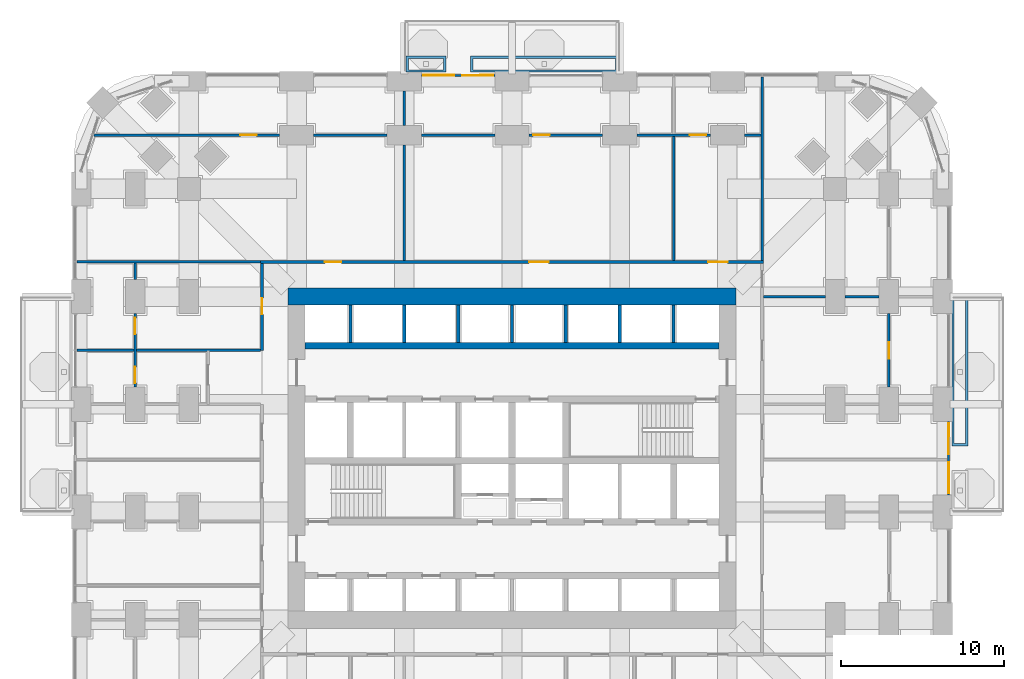
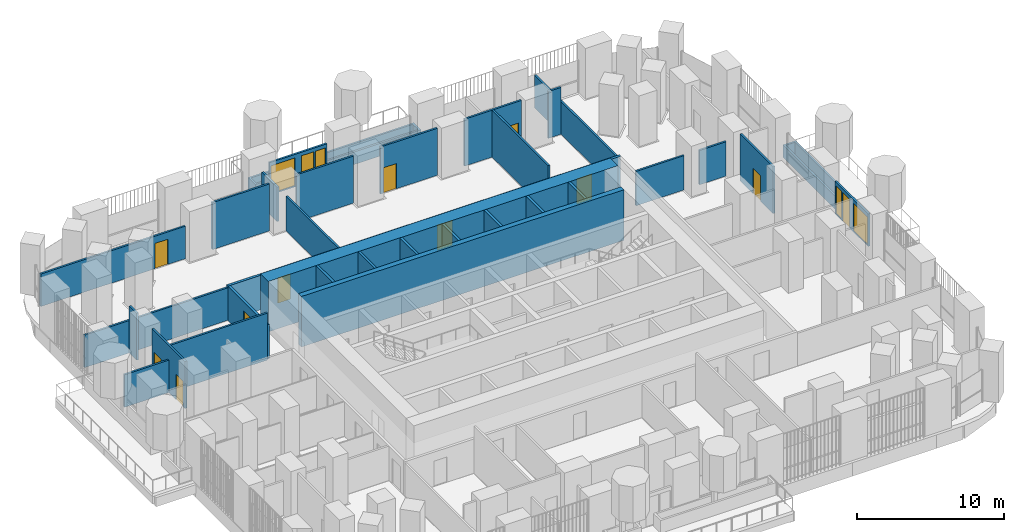
# One storey, part 20 of 26: 34 walls, 12 doors, 4 windows, 16 openings.
"""IFC4 building model written with IfcOpenShell, lengths in metres."""

from ifc_helpers import new_model, si_unit, direction, frame, frame_2d, origin, place, context, subcontext, project, spatial, polyline, rectangle, outline, extrude, material, layer, layer_set, type_object, element, fill, save


model = new_model("IFC4")

# Units and contexts
model_context = context("Model", 3, precision=1e-05, world=origin(), true_north=direction((0.0, 1.0)))
body_context = subcontext(model_context, "Body", "Model", "MODEL_VIEW")
ifc_project = project(units=[si_unit("LENGTHUNIT", "METRE"), si_unit("AREAUNIT", "SQUARE_METRE"), si_unit("VOLUMEUNIT", "CUBIC_METRE"), si_unit("PLANEANGLEUNIT", "RADIAN"), si_unit("MASSUNIT", "GRAM", prefix="KILO")], contexts=[model_context])

# Site, building, storey
site_placement = place(None, origin())
site = spatial("IfcSite", under=ifc_project, at=site_placement, CompositionType="ELEMENT")
building_placement = place(site_placement, origin())
building = spatial("IfcBuilding", under=site, at=building_placement, Name="Cobogo Forest Laboratory Tower", CompositionType="ELEMENT")
storey_placement = place(building_placement, frame((0.0, 0.0, 42.300048828125)))
storey = spatial("IfcBuildingStorey", under=building, at=storey_placement, Name="L09", CompositionType="ELEMENT", Elevation=42.300048828125)

# Walls
ifc_material_1 = material(Name="Concrete HA-50 (C50/60)", Category="concrete")
ifc_layer_1 = layer(ifc_material_1, 0.39990234375)
ifc_layer_set_1 = layer_set([ifc_layer_1], Name="CI400 core inner wall 400")
wall_type_1 = type_object("IfcWallType", Name="CI400 core inner wall 400", PredefinedType="SHEAR", material=ifc_layer_set_1)
wall_1_placement = place(storey_placement, frame((13.72509765625, 30.0, 0.0), z_axis=(0.0, 0.0, 1.0), x_axis=(1.0, 0.0, 0.0)))
element("IfcWall", 1, at=wall_1_placement, inside=storey, type_object=wall_type_1, Name="Core wall CI-30.0 L09", PredefinedType="SHEAR", context=body_context, shape_type="SweptSolid", body=[
    extrude(rectangle(XDim=25.349853515625, YDim=0.39990234375, at=frame_2d((12.6748046875, 0.0))), origin(), (0.0, 0.0, 1.0), 4.199951171875),
])
ifc_layer_2 = layer(ifc_material_1, 1.050048828125)
ifc_layer_set_2 = layer_set([ifc_layer_2], Name="CW1050 core outer wall 1050")
wall_type_2 = type_object("IfcWallType", Name="CW1050 core outer wall 1050", PredefinedType="SHEAR", material=ifc_layer_set_2)
wall_2_placement = place(storey_placement, frame((40.125, 33.0, 0.0), z_axis=(0.0, 0.0, 1.0), x_axis=(-1.0, 0.0, 0.0)))
element("IfcWall", 2, at=wall_2_placement, inside=storey, type_object=wall_type_2, Name="Core wall CO-N L09", PredefinedType="SHEAR", context=body_context, shape_type="SweptSolid", body=[
    extrude(rectangle(XDim=27.449951171875, YDim=1.050048828125, at=frame_2d((13.72509765625, 0.0))), origin(), (0.0, 0.0, 1.0), 4.199951171875),
])

# Wall, openings, door, windows
ifc_material_2 = material(Name="Aluminium framed glazed screen", Category="aluminium")
ifc_layer_3 = layer(ifc_material_2, 0.14990234375)
ifc_layer_set_3 = layer_set([ifc_layer_3], Name="GS1 glazed door screen 150")
wall_type_3 = type_object("IfcWallType", Name="GS1 glazed door screen 150", PredefinedType="SOLIDWALL", material=ifc_layer_set_3)
wall_3_placement = place(storey_placement, frame((53.14990234375, 20.85009765625, 0.0), z_axis=(0.0, 0.0, 1.0), x_axis=(0.0, 1.0, 0.0)))
wall_3 = element("IfcWall", 3, at=wall_3_placement, inside=storey, type_object=wall_type_3, Name="Door screen BAL-E1 L09", PredefinedType="SOLIDWALL", context=body_context, shape_type="SweptSolid", body=[
    extrude(rectangle(XDim=4.5, YDim=0.14990234375, at=frame_2d((2.25, 0.0))), origin(), (0.0, 0.0, 1.0), 2.699951171875),
])
opening_1_placement = place(wall_3_placement, frame((2.5, 0.0, 0.0)))
opening_1 = element("IfcOpeningElement", 4, at=opening_1_placement, cuts=wall_3, Name="Opening L09-D28", PredefinedType="OPENING", context=body_context, shape_type="SweptSolid", body=[
    extrude(rectangle(XDim=1.0, YDim=2.39990234375, at=frame_2d((0.5, 1.199951171875))), frame((0.0, 0.0849609375, 0.0), z_axis=(0.0, -1.0, 0.0), x_axis=(1.0, 0.0, 0.0)), (0.0, 0.0, 1.0), 0.169921875),
])
opening_2_placement = place(wall_3_placement, frame((0.10009765625, 0.0, 0.10009765625)))
opening_2 = element("IfcOpeningElement", 5, at=opening_2_placement, cuts=wall_3, Name="Opening L09-W04", PredefinedType="OPENING", context=body_context, shape_type="SweptSolid", body=[
    extrude(rectangle(XDim=1.89990234375, YDim=2.300048828125, at=frame_2d((0.949951171875, 1.14990234375))), frame((0.0, 0.0849609375, 0.0), z_axis=(0.0, -1.0, 0.0), x_axis=(1.0, 0.0, 0.0)), (0.0, 0.0, 1.0), 0.169921875),
])
opening_3_placement = place(wall_3_placement, frame((3.60009765625, 0.0, 0.10009765625)))
opening_3 = element("IfcOpeningElement", 6, at=opening_3_placement, cuts=wall_3, Name="Opening L09-W06", PredefinedType="OPENING", context=body_context, shape_type="SweptSolid", body=[
    extrude(rectangle(XDim=0.800048828125, YDim=2.300048828125, at=frame_2d((0.39990234375, 1.14990234375))), frame((0.0, 0.0849609375, 0.0), z_axis=(0.0, -1.0, 0.0), x_axis=(1.0, 0.0, 0.0)), (0.0, 0.0, 1.0), 0.169921875),
])
ifc_material_3 = material(Name="Aluminium glazed door", Category="aluminium")
door_type_1 = type_object("IfcDoorType", Name="DB1 balcony door 1000 glazed", OperationType="SINGLE_SWING_LEFT", PredefinedType="DOOR", material=ifc_material_3)
door_1_placement = place(opening_1_placement, origin())
door_1 = element("IfcDoor", 7, at=door_1_placement, inside=storey, type_object=door_type_1, Name="Door L09-BAL-E1", OperationType="SINGLE_SWING_RIGHT", OverallHeight=2.39990234375, OverallWidth=1.0, PredefinedType="DOOR", context=body_context, shape_type="SweptSolid", body=[
    extrude(rectangle(XDim=1.0, YDim=2.39990234375, at=frame_2d((0.5, 1.199951171875))), frame((0.0, 0.02490234375, 0.0), z_axis=(0.0, -1.0, 0.0), x_axis=(1.0, 0.0, 0.0)), (0.0, 0.0, 1.0), 0.050048828125),
])
fill(opening_1, door_1)
ifc_material_4 = material(Name="Aluminium framed glazing", Category="aluminium")
window_type_1 = type_object("IfcWindowType", Name="WG3 fixed glazed light 1900x2300", PartitioningType="SINGLE_PANEL", PredefinedType="WINDOW", material=ifc_material_4)
window_1_placement = place(opening_2_placement, origin())
window_1 = element("IfcWindow", 8, at=window_1_placement, inside=storey, type_object=window_type_1, Name="Window L09-BAL-E1-1", OverallHeight=2.300048828125, OverallWidth=1.89990234375, PartitioningType="SINGLE_PANEL", PredefinedType="WINDOW", context=body_context, shape_type="SweptSolid", body=[
    extrude(rectangle(XDim=1.89990234375, YDim=2.300048828125, at=frame_2d((0.949951171875, 1.14990234375))), frame((0.0, 0.030029296875, 0.0), z_axis=(0.0, -1.0, 0.0), x_axis=(1.0, 0.0, 0.0)), (0.0, 0.0, 1.0), 0.06005859375),
])
fill(opening_2, window_1)
window_type_2 = type_object("IfcWindowType", Name="WG4 fixed glazed light 800x2300", PartitioningType="SINGLE_PANEL", PredefinedType="WINDOW", material=ifc_material_4)
window_2_placement = place(opening_3_placement, origin())
window_2 = element("IfcWindow", 9, at=window_2_placement, inside=storey, type_object=window_type_2, Name="Window L09-BAL-E1-2", OverallHeight=2.300048828125, OverallWidth=0.800048828125, PartitioningType="SINGLE_PANEL", PredefinedType="WINDOW", context=body_context, shape_type="SweptSolid", body=[
    extrude(rectangle(XDim=0.800048828125, YDim=2.300048828125, at=frame_2d((0.39990234375, 1.14990234375))), frame((0.0, 0.030029296875, 0.0), z_axis=(0.0, -1.0, 0.0), x_axis=(1.0, 0.0, 0.0)), (0.0, 0.0, 1.0), 0.06005859375),
])
fill(opening_3, window_2)

wall_4_placement = place(storey_placement, frame((25.35009765625, 46.550048828125, 0.0), z_axis=(0.0, 0.0, 1.0), x_axis=(-1.0, 0.0, 0.0)))
wall_4 = element("IfcWall", 10, at=wall_4_placement, inside=storey, type_object=wall_type_3, Name="Door screen BAL-N1 L09", PredefinedType="SOLIDWALL", context=body_context, shape_type="SweptSolid", body=[
    extrude(rectangle(XDim=4.5, YDim=0.14990234375, at=frame_2d((2.25, 0.0))), origin(), (0.0, 0.0, 1.0), 2.699951171875),
])
opening_4_placement = place(wall_4_placement, frame((1.0, 0.0, 0.0)))
opening_4 = element("IfcOpeningElement", 11, at=opening_4_placement, cuts=wall_4, Name="Opening L09-D48", PredefinedType="OPENING", context=body_context, shape_type="SweptSolid", body=[
    extrude(rectangle(XDim=1.0, YDim=2.39990234375, at=frame_2d((0.5, 1.199951171875))), frame((0.0, 0.0849609375, 0.0), z_axis=(0.0, -1.0, 0.0), x_axis=(1.0, 0.0, 0.0)), (0.0, 0.0, 1.0), 0.169921875),
])
opening_5_placement = place(wall_4_placement, frame((0.10009765625, 0.0, 0.10009765625)))
opening_5 = element("IfcOpeningElement", 12, at=opening_5_placement, cuts=wall_4, Name="Opening L09-W08", PredefinedType="OPENING", context=body_context, shape_type="SweptSolid", body=[
    extrude(rectangle(XDim=0.800048828125, YDim=2.300048828125, at=frame_2d((0.39990234375, 1.14990234375))), frame((0.0, 0.0849609375, 0.0), z_axis=(0.0, -1.0, 0.0), x_axis=(1.0, 0.0, 0.0)), (0.0, 0.0, 1.0), 0.169921875),
])
opening_6_placement = place(wall_4_placement, frame((2.5, 0.0, 0.10009765625)))
opening_6 = element("IfcOpeningElement", 13, at=opening_6_placement, cuts=wall_4, Name="Opening L09-W07", PredefinedType="OPENING", context=body_context, shape_type="SweptSolid", body=[
    extrude(rectangle(XDim=1.89990234375, YDim=2.300048828125, at=frame_2d((0.949951171875, 1.14990234375))), frame((0.0, 0.0849609375, 0.0), z_axis=(0.0, -1.0, 0.0), x_axis=(1.0, 0.0, 0.0)), (0.0, 0.0, 1.0), 0.169921875),
])
door_2_placement = place(opening_4_placement, origin())
door_2 = element("IfcDoor", 14, at=door_2_placement, inside=storey, type_object=door_type_1, Name="Door L09-BAL-N1", OperationType="SINGLE_SWING_LEFT", OverallHeight=2.39990234375, OverallWidth=1.0, PredefinedType="DOOR", context=body_context, shape_type="SweptSolid", body=[
    extrude(rectangle(XDim=1.0, YDim=2.39990234375, at=frame_2d((0.5, 1.199951171875))), frame((0.0, 0.02490234375, 0.0), z_axis=(0.0, -1.0, 0.0), x_axis=(1.0, 0.0, 0.0)), (0.0, 0.0, 1.0), 0.050048828125),
])
fill(opening_4, door_2)
window_3_placement = place(opening_6_placement, origin())
window_3 = element("IfcWindow", 15, at=window_3_placement, inside=storey, type_object=window_type_1, Name="Window L09-BAL-N1-2", OverallHeight=2.300048828125, OverallWidth=1.89990234375, PartitioningType="SINGLE_PANEL", PredefinedType="WINDOW", context=body_context, shape_type="SweptSolid", body=[
    extrude(rectangle(XDim=1.89990234375, YDim=2.300048828125, at=frame_2d((0.949951171875, 1.14990234375))), frame((0.0, 0.030029296875, 0.0), z_axis=(0.0, -1.0, 0.0), x_axis=(1.0, 0.0, 0.0)), (0.0, 0.0, 1.0), 0.06005859375),
])
fill(opening_6, window_3)
window_4_placement = place(opening_5_placement, origin())
window_4 = element("IfcWindow", 16, at=window_4_placement, inside=storey, type_object=window_type_2, Name="Window L09-BAL-N1-1", OverallHeight=2.300048828125, OverallWidth=0.800048828125, PartitioningType="SINGLE_PANEL", PredefinedType="WINDOW", context=body_context, shape_type="SweptSolid", body=[
    extrude(rectangle(XDim=0.800048828125, YDim=2.300048828125, at=frame_2d((0.39990234375, 1.14990234375))), frame((0.0, 0.030029296875, 0.0), z_axis=(0.0, -1.0, 0.0), x_axis=(1.0, 0.0, 0.0)), (0.0, 0.0, 1.0), 0.06005859375),
])
fill(opening_5, window_4)

# Walls
ifc_material_5 = material(Name="Gypsum board on steel studs", Category="steel")
ifc_layer_4 = layer(ifc_material_5, 0.14990234375)
ifc_layer_set_4 = layer_set([ifc_layer_4], Name="PT1 laboratory partition 150")
wall_type_4 = type_object("IfcWallType", Name="PT1 laboratory partition 150", PredefinedType="PARTITIONING", material=ifc_layer_set_4)
wall_5_placement = place(storey_placement, frame((41.72509765625, 46.469970703125, 0.0), z_axis=(0.0, 0.0, 1.0), x_axis=(0.0, -1.0, 0.0)))
element("IfcWall", 17, at=wall_5_placement, inside=storey, type_object=wall_type_4, Name="Partition PW-NE L09", PredefinedType="PARTITIONING", context=body_context, shape_type="SweptSolid", body=[
    extrude(rectangle(XDim=11.244873046875, YDim=0.14990234375, at=frame_2d((5.62255859375, 0.0))), origin(), (0.0, 0.0, 1.0), 2.699951171875),
])
wall_6_placement = place(storey_placement, frame((-0.27001953125, 35.125, 0.0), z_axis=(0.0, 0.0, 1.0), x_axis=(1.0, 0.0, 0.0)))
element("IfcWall", 18, at=wall_6_placement, inside=storey, type_object=wall_type_4, Name="Partition PW-NW L09", PredefinedType="PARTITIONING", context=body_context, shape_type="SweptSolid", body=[
    extrude(rectangle(XDim=11.2451171875, YDim=0.14990234375, at=frame_2d((5.62255859375, 0.0))), origin(), (0.0, 0.0, 1.0), 2.699951171875),
])

# Wall, opening, door
wall_7_placement = place(storey_placement, frame((49.5, 27.449951171875, 0.0), z_axis=(0.0, 0.0, 1.0), x_axis=(0.0, 1.0, 0.0)))
wall_7 = element("IfcWall", 19, at=wall_7_placement, inside=storey, type_object=wall_type_4, Name="Partition STRIP-E-3 L09", PredefinedType="PARTITIONING", context=body_context, shape_type="SweptSolid", body=[
    extrude(rectangle(XDim=4.5, YDim=0.14990234375, at=frame_2d((2.25, 0.0))), origin(), (0.0, 0.0, 1.0), 3.89990234375),
])
opening_7_placement = place(wall_7_placement, frame((1.75, 0.0, 0.0)))
opening_7 = element("IfcOpeningElement", 20, at=opening_7_placement, cuts=wall_7, Name="Opening L09-D37", PredefinedType="OPENING", context=body_context, shape_type="SweptSolid", body=[
    extrude(rectangle(XDim=1.0, YDim=2.10009765625, at=frame_2d((0.5, 1.050048828125))), frame((0.0, 0.0849609375, 0.0), z_axis=(0.0, -1.0, 0.0), x_axis=(1.0, 0.0, 0.0)), (0.0, 0.0, 1.0), 0.169921875),
])
ifc_material_6 = material(Name="Timber fire door", Category="wood")
door_type_2 = type_object("IfcDoorType", Name="FD2 fire door 1000 EI2 30", OperationType="SINGLE_SWING_LEFT", PredefinedType="DOOR", material=ifc_material_6)
door_3_placement = place(opening_7_placement, origin())
door_3 = element("IfcDoor", 21, at=door_3_placement, inside=storey, type_object=door_type_2, Name="Door L09-E2W", OperationType="SINGLE_SWING_LEFT", OverallHeight=2.10009765625, OverallWidth=1.0, PredefinedType="DOOR", context=body_context, shape_type="SweptSolid", body=[
    extrude(rectangle(XDim=1.0, YDim=2.10009765625, at=frame_2d((0.5, 1.050048828125))), frame((0.0, 0.02490234375, 0.0), z_axis=(0.0, -1.0, 0.0), x_axis=(1.0, 0.0, 0.0)), (0.0, 0.0, 1.0), 0.050048828125),
])
fill(opening_7, door_3)

# Walls
wall_8_placement = place(storey_placement, frame((48.89990234375, 33.0, 0.0), z_axis=(0.0, 0.0, 1.0), x_axis=(-1.0, 0.0, 0.0)))
element("IfcWall", 22, at=wall_8_placement, inside=storey, type_object=wall_type_4, Name="Partition CUT-E33-2 L09", PredefinedType="PARTITIONING", context=body_context, shape_type="SweptSolid", body=[
    extrude(rectangle(XDim=2.099853515625, YDim=0.14990234375, at=frame_2d((1.0498046875, 0.0))), origin(), (0.0, 0.0, 1.0), 2.849853515625),
])
wall_9_placement = place(storey_placement, frame((45.60009765625, 33.0, 0.0), z_axis=(0.0, 0.0, 1.0), x_axis=(-1.0, 0.0, 0.0)))
element("IfcWall", 23, at=wall_9_placement, inside=storey, type_object=wall_type_4, Name="Partition CUT-E33-3 L09", PredefinedType="PARTITIONING", context=body_context, shape_type="SweptSolid", body=[
    extrude(rectangle(XDim=3.775146484375, YDim=0.14990234375, at=frame_2d((1.8876953125, 0.0))), origin(), (0.0, 0.0, 1.0), 2.849853515625),
])
wall_10_placement = place(storey_placement, frame((41.64990234375, 42.89990234375, 0.0), z_axis=(0.0, 0.0, 1.0), x_axis=(-1.0, 0.0, 0.0)))
element("IfcWall", 24, at=wall_10_placement, inside=storey, type_object=wall_type_4, Name="Partition STRIP-N-1 L09", PredefinedType="PARTITIONING", context=body_context, shape_type="SweptSolid", body=[
    extrude(rectangle(XDim=1.0, YDim=0.14990234375, at=frame_2d((0.5, 0.0))), origin(), (0.0, 0.0, 1.0), 3.89990234375),
])

# Wall, opening, door
wall_11_placement = place(storey_placement, frame((38.550048828125, 42.89990234375, 0.0), z_axis=(0.0, 0.0, 1.0), x_axis=(-1.0, 0.0, 0.0)))
wall_11 = element("IfcWall", 25, at=wall_11_placement, inside=storey, type_object=wall_type_4, Name="Partition STRIP-N-2 L09", PredefinedType="PARTITIONING", context=body_context, shape_type="SweptSolid", body=[
    extrude(rectangle(XDim=4.5, YDim=0.14990234375, at=frame_2d((2.25, 0.0))), origin(), (0.0, 0.0, 1.0), 3.89990234375),
])
opening_8_placement = place(wall_11_placement, frame((0.25, 0.0, 0.0)))
opening_8 = element("IfcOpeningElement", 26, at=opening_8_placement, cuts=wall_11, Name="Opening L09-D47", PredefinedType="OPENING", context=body_context, shape_type="SweptSolid", body=[
    extrude(rectangle(XDim=1.0, YDim=2.10009765625, at=frame_2d((0.5, 1.050048828125))), frame((0.0, 0.0849609375, 0.0), z_axis=(0.0, -1.0, 0.0), x_axis=(1.0, 0.0, 0.0)), (0.0, 0.0, 1.0), 0.169921875),
])
door_4_placement = place(opening_8_placement, origin())
door_4 = element("IfcDoor", 27, at=door_4_placement, inside=storey, type_object=door_type_2, Name="Door L09-N3W", OperationType="SINGLE_SWING_LEFT", OverallHeight=2.10009765625, OverallWidth=1.0, PredefinedType="DOOR", context=body_context, shape_type="SweptSolid", body=[
    extrude(rectangle(XDim=1.0, YDim=2.10009765625, at=frame_2d((0.5, 1.050048828125))), frame((0.0, 0.02490234375, 0.0), z_axis=(0.0, -1.0, 0.0), x_axis=(1.0, 0.0, 0.0)), (0.0, 0.0, 1.0), 0.050048828125),
])
fill(opening_8, door_4)

wall_12_placement = place(storey_placement, frame((31.949951171875, 42.89990234375, 0.0), z_axis=(0.0, 0.0, 1.0), x_axis=(-1.0, 0.0, 0.0)))
wall_12 = element("IfcWall", 28, at=wall_12_placement, inside=storey, type_object=wall_type_4, Name="Partition STRIP-N-3 L09", PredefinedType="PARTITIONING", context=body_context, shape_type="SweptSolid", body=[
    extrude(rectangle(XDim=4.5, YDim=0.14990234375, at=frame_2d((2.25, 0.0))), origin(), (0.0, 0.0, 1.0), 3.89990234375),
])
opening_9_placement = place(wall_12_placement, frame((3.25, 0.0, 0.0)))
opening_9 = element("IfcOpeningElement", 29, at=opening_9_placement, cuts=wall_12, Name="Opening L09-D46", PredefinedType="OPENING", context=body_context, shape_type="SweptSolid", body=[
    extrude(rectangle(XDim=1.0, YDim=2.10009765625, at=frame_2d((0.5, 1.050048828125))), frame((0.0, 0.0849609375, 0.0), z_axis=(0.0, -1.0, 0.0), x_axis=(1.0, 0.0, 0.0)), (0.0, 0.0, 1.0), 0.169921875),
])
door_5_placement = place(opening_9_placement, origin())
door_5 = element("IfcDoor", 30, at=door_5_placement, inside=storey, type_object=door_type_2, Name="Door L09-N2W", OperationType="SINGLE_SWING_RIGHT", OverallHeight=2.10009765625, OverallWidth=1.0, PredefinedType="DOOR", context=body_context, shape_type="SweptSolid", body=[
    extrude(rectangle(XDim=1.0, YDim=2.10009765625, at=frame_2d((0.5, 1.050048828125))), frame((0.0, 0.02490234375, 0.0), z_axis=(0.0, -1.0, 0.0), x_axis=(1.0, 0.0, 0.0)), (0.0, 0.0, 1.0), 0.050048828125),
])
fill(opening_9, door_5)

# Walls
for number, where, z_axis, x_axis, name in (
    (31, (25.35009765625, 42.89990234375, 0.0), (0.0, 0.0, 1.0), (-1.0, 0.0, 0.0), "Partition STRIP-N-4 L09"),
    (32, (18.75, 42.89990234375, 0.0), (0.0, 0.0, 1.0), (-1.0, 0.0, 0.0), "Partition STRIP-N-5 L09"),
):
    element("IfcWall", number, at=place(storey_placement, frame(where, z_axis=z_axis, x_axis=x_axis)), inside=storey, type_object=wall_type_4, Name=name, PredefinedType="PARTITIONING", context=body_context, shape_type="SweptSolid", body=[
        extrude(rectangle(XDim=4.5, YDim=0.14990234375, at=frame_2d((2.25, 0.0))), origin(), (0.0, 0.0, 1.0), 3.89990234375),
    ])

# Wall, opening, door
wall_13_placement = place(storey_placement, frame((12.14990234375, 42.89990234375, 0.0), z_axis=(0.0, 0.0, 1.0), x_axis=(-1.0, 0.0, 0.0)))
wall_13 = element("IfcWall", 33, at=wall_13_placement, inside=storey, type_object=wall_type_4, Name="Partition STRIP-N-6 L09", PredefinedType="PARTITIONING", context=body_context, shape_type="SweptSolid", body=[
    extrude(rectangle(XDim=11.373779296875, YDim=0.14990234375, at=frame_2d((5.68701171875, 0.0))), origin(), (0.0, 0.0, 1.0), 2.699951171875),
])
opening_10_placement = place(wall_13_placement, frame((1.39208984375, 0.0, 0.0)))
opening_10 = element("IfcOpeningElement", 34, at=opening_10_placement, cuts=wall_13, Name="Opening L09-D45", PredefinedType="OPENING", context=body_context, shape_type="SweptSolid", body=[
    extrude(rectangle(XDim=1.0, YDim=2.10009765625, at=frame_2d((0.5, 1.050048828125))), frame((0.0, 0.0849609375, 0.0), z_axis=(0.0, -1.0, 0.0), x_axis=(1.0, 0.0, 0.0)), (0.0, 0.0, 1.0), 0.169921875),
])
door_6_placement = place(opening_10_placement, origin())
door_6 = element("IfcDoor", 35, at=door_6_placement, inside=storey, type_object=door_type_2, Name="Door L09-N1W", OperationType="SINGLE_SWING_LEFT", OverallHeight=2.10009765625, OverallWidth=1.0, PredefinedType="DOOR", context=body_context, shape_type="SweptSolid", body=[
    extrude(rectangle(XDim=1.0, YDim=2.10009765625, at=frame_2d((0.5, 1.050048828125))), frame((0.0, 0.02490234375, 0.0), z_axis=(0.0, -1.0, 0.0), x_axis=(1.0, 0.0, 0.0)), (0.0, 0.0, 1.0), 0.050048828125),
])
fill(opening_10, door_6)

# Walls
wall_14_placement = place(storey_placement, frame((19.800048828125, 45.60009765625, 0.0), z_axis=(0.0, 0.0, 1.0), x_axis=(0.0, -1.0, 0.0)))
element("IfcWall", 36, at=wall_14_placement, inside=storey, type_object=wall_type_4, Name="Partition CUT-N19.8a-1 L09", PredefinedType="PARTITIONING", context=body_context, shape_type="SweptSolid", body=[
    extrude(rectangle(XDim=2.10009765625, YDim=0.14990234375, at=frame_2d((1.050048828125, 0.0))), origin(), (0.0, 0.0, 1.0), 2.849853515625),
])
wall_15_placement = place(storey_placement, frame((19.800048828125, 42.300048828125, 0.0), z_axis=(0.0, 0.0, 1.0), x_axis=(0.0, -1.0, 0.0)))
element("IfcWall", 37, at=wall_15_placement, inside=storey, type_object=wall_type_4, Name="Partition CUT-N19.8b-1 L09", PredefinedType="PARTITIONING", context=body_context, shape_type="SweptSolid", body=[
    extrude(rectangle(XDim=7.074951171875, YDim=0.14990234375, at=frame_2d((3.53759765625, 0.0))), origin(), (0.0, 0.0, 1.0), 2.849853515625),
])
wall_16_placement = place(storey_placement, frame((36.300048828125, 42.824951171875, 0.0), z_axis=(0.0, 0.0, 1.0), x_axis=(0.0, -1.0, 0.0)))
element("IfcWall", 38, at=wall_16_placement, inside=storey, type_object=wall_type_4, Name="Partition CUT-N36.3b-1 L09", PredefinedType="PARTITIONING", context=body_context, shape_type="SweptSolid", body=[
    extrude(rectangle(XDim=7.599853515625, YDim=0.14990234375, at=frame_2d((3.7998046875, 0.0))), origin(), (0.0, 0.0, 1.0), 3.89990234375),
])
wall_17_placement = place(storey_placement, frame((3.300048828125, 35.050048828125, 0.0), z_axis=(0.0, 0.0, 1.0), x_axis=(0.0, -1.0, 0.0)))
element("IfcWall", 39, at=wall_17_placement, inside=storey, type_object=wall_type_4, Name="Partition STRIP-W-1 L09", PredefinedType="PARTITIONING", context=body_context, shape_type="SweptSolid", body=[
    extrude(rectangle(XDim=1.0, YDim=0.14990234375, at=frame_2d((0.5, 0.0))), origin(), (0.0, 0.0, 1.0), 3.89990234375),
])

# Wall, openings, doors
wall_18_placement = place(storey_placement, frame((3.300048828125, 31.949951171875, 0.0), z_axis=(0.0, 0.0, 1.0), x_axis=(0.0, -1.0, 0.0)))
wall_18 = element("IfcWall", 40, at=wall_18_placement, inside=storey, type_object=wall_type_4, Name="Partition STRIP-W-2 L09", PredefinedType="PARTITIONING", context=body_context, shape_type="SweptSolid", body=[
    extrude(rectangle(XDim=4.5, YDim=0.14990234375, at=frame_2d((2.25, 0.0))), origin(), (0.0, 0.0, 1.0), 3.89990234375),
])
opening_11_placement = place(wall_18_placement, frame((3.25, 0.0, 0.0)))
opening_11 = element("IfcOpeningElement", 41, at=opening_11_placement, cuts=wall_18, Name="Opening L09-D32", PredefinedType="OPENING", context=body_context, shape_type="SweptSolid", body=[
    extrude(rectangle(XDim=1.0, YDim=2.10009765625, at=frame_2d((0.5, 1.050048828125))), frame((0.0, 0.0849609375, 0.0), z_axis=(0.0, -1.0, 0.0), x_axis=(1.0, 0.0, 0.0)), (0.0, 0.0, 1.0), 0.169921875),
])
opening_12_placement = place(wall_18_placement, frame((0.25, 0.0, 0.0)))
opening_12 = element("IfcOpeningElement", 42, at=opening_12_placement, cuts=wall_18, Name="Opening L09-D38", PredefinedType="OPENING", context=body_context, shape_type="SweptSolid", body=[
    extrude(rectangle(XDim=1.0, YDim=2.10009765625, at=frame_2d((0.5, 1.050048828125))), frame((0.0, 0.0849609375, 0.0), z_axis=(0.0, -1.0, 0.0), x_axis=(1.0, 0.0, 0.0)), (0.0, 0.0, 1.0), 0.169921875),
])
door_7_placement = place(opening_11_placement, origin())
door_7 = element("IfcDoor", 43, at=door_7_placement, inside=storey, type_object=door_type_2, Name="Door L09-W3W", OperationType="SINGLE_SWING_RIGHT", OverallHeight=2.10009765625, OverallWidth=1.0, PredefinedType="DOOR", context=body_context, shape_type="SweptSolid", body=[
    extrude(rectangle(XDim=1.0, YDim=2.10009765625, at=frame_2d((0.5, 1.050048828125))), frame((0.0, 0.02490234375, 0.0), z_axis=(0.0, -1.0, 0.0), x_axis=(1.0, 0.0, 0.0)), (0.0, 0.0, 1.0), 0.050048828125),
])
fill(opening_11, door_7)
door_8_placement = place(opening_12_placement, origin())
door_8 = element("IfcDoor", 44, at=door_8_placement, inside=storey, type_object=door_type_2, Name="Door L09-W4W", OperationType="SINGLE_SWING_LEFT", OverallHeight=2.10009765625, OverallWidth=1.0, PredefinedType="DOOR", context=body_context, shape_type="SweptSolid", body=[
    extrude(rectangle(XDim=1.0, YDim=2.10009765625, at=frame_2d((0.5, 1.050048828125))), frame((0.0, 0.02490234375, 0.0), z_axis=(0.0, -1.0, 0.0), x_axis=(1.0, 0.0, 0.0)), (0.0, 0.0, 1.0), 0.050048828125),
])
fill(opening_12, door_8)

# Walls
wall_19_placement = place(storey_placement, frame((-0.27001953125, 29.699951171875, 0.0), z_axis=(0.0, 0.0, 1.0), x_axis=(1.0, 0.0, 0.0)))
element("IfcWall", 45, at=wall_19_placement, inside=storey, type_object=wall_type_4, Name="Partition CUT-W29.7a-1 L09", PredefinedType="PARTITIONING", context=body_context, shape_type="SweptSolid", body=[
    extrude(rectangle(XDim=3.4951171875, YDim=0.14990234375, at=frame_2d((1.74755859375, 0.0))), origin(), (0.0, 0.0, 1.0), 2.699951171875),
])
wall_20_placement = place(storey_placement, frame((3.375, 29.699951171875, 0.0), z_axis=(0.0, 0.0, 1.0), x_axis=(1.0, 0.0, 0.0)))
element("IfcWall", 46, at=wall_20_placement, inside=storey, type_object=wall_type_4, Name="Partition CUT-W29.7b-1 L09", PredefinedType="PARTITIONING", context=body_context, shape_type="SweptSolid", body=[
    extrude(rectangle(XDim=7.60009765625, YDim=0.14990234375, at=frame_2d((3.800048828125, 0.0))), origin(), (0.0, 0.0, 1.0), 3.89990234375),
])

# Wall, openings, doors
ifc_layer_5 = layer(ifc_material_5, 0.199951171875)
ifc_layer_set_5 = layer_set([ifc_layer_5], Name="PT2 fire-rated corridor partition 200")
wall_type_5 = type_object("IfcWallType", Name="PT2 fire-rated corridor partition 200", PredefinedType="PARTITIONING", material=ifc_layer_set_5)
wall_21_placement = place(storey_placement, frame((10.97509765625, 35.125, 0.0), z_axis=(0.0, 0.0, 1.0), x_axis=(1.0, 0.0, 0.0)))
wall_21 = element("IfcWall", 47, at=wall_21_placement, inside=storey, type_object=wall_type_5, Name="Partition CORR-N L09", PredefinedType="PARTITIONING", context=body_context, shape_type="SweptSolid", body=[
    extrude(rectangle(XDim=30.849853515625, YDim=0.199951171875, at=frame_2d((15.4248046875, 0.0))), origin(), (0.0, 0.0, 1.0), 2.849853515625),
])
opening_13_placement = place(wall_21_placement, frame((3.96240234375, 0.0, 0.0)))
opening_13 = element("IfcOpeningElement", 48, at=opening_13_placement, cuts=wall_21, Name="Opening L09-D41", PredefinedType="OPENING", context=body_context, shape_type="SweptSolid", body=[
    extrude(rectangle(XDim=1.0, YDim=2.10009765625, at=frame_2d((0.5, 1.050048828125))), frame((0.0, 0.10986328125, 0.0), z_axis=(0.0, -1.0, 0.0), x_axis=(1.0, 0.0, 0.0)), (0.0, 0.0, 1.0), 0.219970703125),
])
opening_14_placement = place(wall_21_placement, frame((16.47509765625, 0.0, 0.0)))
opening_14 = element("IfcOpeningElement", 49, at=opening_14_placement, cuts=wall_21, Name="Opening L09-D42", PredefinedType="OPENING", context=body_context, shape_type="SweptSolid", body=[
    extrude(rectangle(XDim=1.199951171875, YDim=2.10009765625, at=frame_2d((0.60009765625, 1.050048828125))), frame((0.0, 0.10986328125, 0.0), z_axis=(0.0, -1.0, 0.0), x_axis=(1.0, 0.0, 0.0)), (0.0, 0.0, 1.0), 0.219970703125),
])
opening_15_placement = place(wall_21_placement, frame((27.4375, 0.0, 0.0)))
opening_15 = element("IfcOpeningElement", 50, at=opening_15_placement, cuts=wall_21, Name="Opening L09-D43", PredefinedType="OPENING", context=body_context, shape_type="SweptSolid", body=[
    extrude(rectangle(XDim=1.199951171875, YDim=2.10009765625, at=frame_2d((0.60009765625, 1.050048828125))), frame((0.0, 0.10986328125, 0.0), z_axis=(0.0, -1.0, 0.0), x_axis=(1.0, 0.0, 0.0)), (0.0, 0.0, 1.0), 0.219970703125),
])
ifc_material_7 = material(Name="Timber door", Category="wood")
door_type_3 = type_object("IfcDoorType", Name="D2 laboratory door 1200 unequal pair", OperationType="DOUBLE_DOOR_SINGLE_SWING", PredefinedType="DOOR", material=ifc_material_7)
door_9_placement = place(opening_14_placement, origin())
door_9 = element("IfcDoor", 51, at=door_9_placement, inside=storey, type_object=door_type_3, Name="Door L09-N2", OperationType="DOUBLE_DOOR_SINGLE_SWING", OverallHeight=2.10009765625, OverallWidth=1.199951171875, PredefinedType="DOOR", context=body_context, shape_type="SweptSolid", body=[
    extrude(rectangle(XDim=1.199951171875, YDim=2.10009765625, at=frame_2d((0.60009765625, 1.050048828125))), frame((0.0, 0.02490234375, 0.0), z_axis=(0.0, -1.0, 0.0), x_axis=(1.0, 0.0, 0.0)), (0.0, 0.0, 1.0), 0.050048828125),
])
fill(opening_14, door_9)
door_10_placement = place(opening_15_placement, origin())
door_10 = element("IfcDoor", 52, at=door_10_placement, inside=storey, type_object=door_type_3, Name="Door L09-N3", OperationType="DOUBLE_DOOR_SINGLE_SWING", OverallHeight=2.10009765625, OverallWidth=1.199951171875, PredefinedType="DOOR", context=body_context, shape_type="SweptSolid", body=[
    extrude(rectangle(XDim=1.199951171875, YDim=2.10009765625, at=frame_2d((0.60009765625, 1.050048828125))), frame((0.0, 0.02490234375, 0.0), z_axis=(0.0, -1.0, 0.0), x_axis=(1.0, 0.0, 0.0)), (0.0, 0.0, 1.0), 0.050048828125),
])
fill(opening_15, door_10)
door_11_placement = place(opening_13_placement, origin())
door_11 = element("IfcDoor", 53, at=door_11_placement, inside=storey, type_object=door_type_2, Name="Door L09-N1", OperationType="SINGLE_SWING_LEFT", OverallHeight=2.10009765625, OverallWidth=1.0, PredefinedType="DOOR", context=body_context, shape_type="SweptSolid", body=[
    extrude(rectangle(XDim=1.0, YDim=2.10009765625, at=frame_2d((0.5, 1.050048828125))), frame((0.0, 0.02490234375, 0.0), z_axis=(0.0, -1.0, 0.0), x_axis=(1.0, 0.0, 0.0)), (0.0, 0.0, 1.0), 0.050048828125),
])
fill(opening_13, door_11)

# Wall, opening, door
wall_22_placement = place(storey_placement, frame((11.074951171875, 29.699951171875, 0.0), z_axis=(0.0, 0.0, 1.0), x_axis=(0.0, 1.0, 0.0)))
wall_22 = element("IfcWall", 54, at=wall_22_placement, inside=storey, type_object=wall_type_5, Name="Partition CORR-W-2 L09", PredefinedType="PARTITIONING", context=body_context, shape_type="SweptSolid", body=[
    extrude(rectangle(XDim=5.324951171875, YDim=0.199951171875, at=frame_2d((2.66259765625, 0.0))), origin(), (0.0, 0.0, 1.0), 2.849853515625),
])
opening_16_placement = place(wall_22_placement, frame((2.21240234375, 0.0, 0.0)))
opening_16 = element("IfcOpeningElement", 55, at=opening_16_placement, cuts=wall_22, Name="Opening L09-D39", PredefinedType="OPENING", context=body_context, shape_type="SweptSolid", body=[
    extrude(rectangle(XDim=1.0, YDim=2.10009765625, at=frame_2d((0.5, 1.050048828125))), frame((0.0, 0.10986328125, 0.0), z_axis=(0.0, -1.0, 0.0), x_axis=(1.0, 0.0, 0.0)), (0.0, 0.0, 1.0), 0.219970703125),
])
door_12_placement = place(opening_16_placement, origin())
door_12 = element("IfcDoor", 56, at=door_12_placement, inside=storey, type_object=door_type_2, Name="Door L09-W4", OperationType="SINGLE_SWING_RIGHT", OverallHeight=2.10009765625, OverallWidth=1.0, PredefinedType="DOOR", context=body_context, shape_type="SweptSolid", body=[
    extrude(rectangle(XDim=1.0, YDim=2.10009765625, at=frame_2d((0.5, 1.050048828125))), frame((0.0, 0.02490234375, 0.0), z_axis=(0.0, -1.0, 0.0), x_axis=(1.0, 0.0, 0.0)), (0.0, 0.0, 1.0), 0.050048828125),
])
fill(opening_16, door_12)

# Walls
ifc_material_8 = material(Name="Concrete HA-40 (C40/50)", Category="concrete")
ifc_layer_6 = layer(ifc_material_8, 0.14990234375)
ifc_layer_set_6 = layer_set([ifc_layer_6], Name="Planter box 1000x1050")
wall_type_6 = type_object("IfcWallType", Name="Planter box 1000x1050", PredefinedType="USERDEFINED", material=ifc_layer_set_6)
wall_23_placement = place(storey_placement, origin())
element("IfcWall", 57, at=wall_23_placement, inside=storey, type_object=wall_type_6, Name="Planter BAL-E1-2 L09", ObjectType="PLANTER", PredefinedType="USERDEFINED", context=body_context, shape_type="SweptSolid", body=[
    extrude(outline(polyline([(53.35009765625, 23.85009765625), (54.35009765625, 23.85009765625), (54.35009765625, 32.89990234375), (53.35009765625, 32.89990234375), (53.35009765625, 23.85009765625)]), holes=[polyline([(53.5, 24.0), (54.199951171875, 24.0), (54.199951171875, 32.75), (53.5, 32.75), (53.5, 24.0)])]), origin(), (0.0, 0.0, 1.0), 1.050048828125),
])
wall_24_placement = place(storey_placement, origin())
element("IfcWall", 58, at=wall_24_placement, inside=storey, type_object=wall_type_6, Name="Planter BAL-N1-1 L09", ObjectType="PLANTER", PredefinedType="USERDEFINED", context=body_context, shape_type="SweptSolid", body=[
    extrude(outline(polyline([(19.89990234375, 46.75), (22.35009765625, 46.75), (22.35009765625, 47.75), (19.89990234375, 47.75), (19.89990234375, 46.75)]), holes=[polyline([(20.050048828125, 46.89990234375), (22.199951171875, 46.89990234375), (22.199951171875, 47.60009765625), (20.050048828125, 47.60009765625), (20.050048828125, 46.89990234375)])]), origin(), (0.0, 0.0, 1.0), 1.050048828125),
])
wall_25_placement = place(storey_placement, origin())
element("IfcWall", 59, at=wall_25_placement, inside=storey, type_object=wall_type_6, Name="Planter BAL-N1-2 L09", ObjectType="PLANTER", PredefinedType="USERDEFINED", context=body_context, shape_type="SweptSolid", body=[
    extrude(outline(polyline([(23.85009765625, 46.75), (32.89990234375, 46.75), (32.89990234375, 47.75), (23.85009765625, 47.75), (23.85009765625, 46.75)]), holes=[polyline([(24.0, 46.89990234375), (32.75, 46.89990234375), (32.75, 47.60009765625), (24.0, 47.60009765625), (24.0, 46.89990234375)])]), origin(), (0.0, 0.0, 1.0), 1.050048828125),
])
ifc_material_9 = material(Name="Concrete block", Category="concrete")
ifc_layer_7 = layer(ifc_material_9, 0.199951171875)
ifc_layer_set_7 = layer_set([ifc_layer_7], Name="SW200 lift shaft separator 200")
wall_type_7 = type_object("IfcWallType", Name="SW200 lift shaft separator 200", PredefinedType="PARTITIONING", material=ifc_layer_set_7)
for number, where, z_axis, x_axis, name in (
    (60, (16.5, 30.199951171875, 0.0), (0.0, 0.0, 1.0), (0.0, 1.0, 0.0), "Core wall SEP-N1 L09"),
    (61, (19.800048828125, 30.199951171875, 0.0), (0.0, 0.0, 1.0), (0.0, 1.0, 0.0), "Core wall SEP-N2 L09"),
    (62, (23.10009765625, 30.199951171875, 0.0), (0.0, 0.0, 1.0), (0.0, 1.0, 0.0), "Core wall SEP-N3 L09"),
    (63, (26.39990234375, 30.199951171875, 0.0), (0.0, 0.0, 1.0), (0.0, 1.0, 0.0), "Core wall SEP-N4 L09"),
    (64, (29.699951171875, 30.199951171875, 0.0), (0.0, 0.0, 1.0), (0.0, 1.0, 0.0), "Core wall SEP-N5 L09"),
    (65, (33.0, 30.199951171875, 0.0), (0.0, 0.0, 1.0), (0.0, 1.0, 0.0), "Core wall SEP-N6 L09"),
    (66, (36.300048828125, 30.199951171875, 0.0), (0.0, 0.0, 1.0), (0.0, 1.0, 0.0), "Core wall SEP-N7 L09"),
):
    element("IfcWall", number, at=place(storey_placement, frame(where, z_axis=z_axis, x_axis=x_axis)), inside=storey, type_object=wall_type_7, Name=name, PredefinedType="PARTITIONING", context=body_context, shape_type="SweptSolid", body=[
        extrude(rectangle(XDim=2.275146484375, YDim=0.199951171875, at=frame_2d((1.1376953125, 0.0))), origin(), (0.0, 0.0, 1.0), 4.199951171875),
    ])

save(model, "model.ifc")
